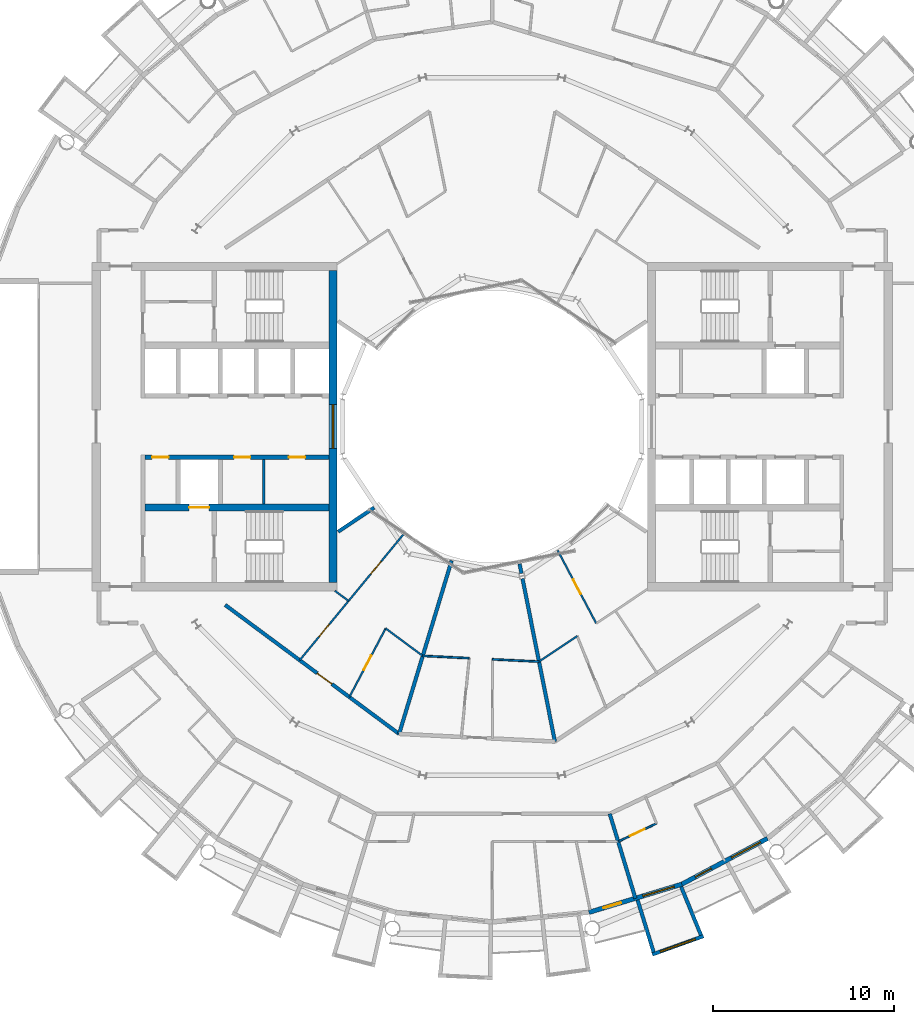
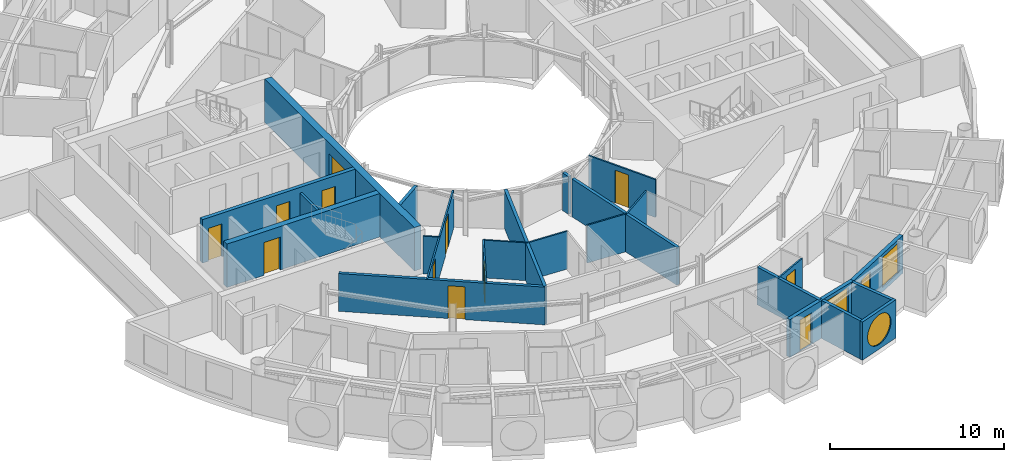
# One storey, part 17 of 28: 24 walls, 12 doors, 4 windows, 16 openings.
"""IFC4 building model written with IfcOpenShell, lengths in metres."""

import ifcopenshell
import ifcopenshell.guid

model = None  # the IFC model being written
_history = None  # IfcOwnerHistory: only IFC2X3 demands one
_inside = {}  # id of a spatial element -> (the spatial element, [elements in it])
_under = {}  # id of a project, library or spatial element -> (it, [spatial elements below it])
_declared = {}  # id of a project -> (the project, [libraries it declares])
_typed = {}  # id of a type object -> (the type object, [elements of that type])
_made_of = {}  # id of a material, layer set ... -> (it, [elements and type objects made of it])


def new_model(schema):
    """Start an empty IFC model of exactly this schema.

    Asked for "IFC4X3", IfcOpenShell would pick the latest addendum, in which some entities
    have other attributes; the version numbers below select the first issue.
    IFC2X3 requires an IfcOwnerHistory on every rooted entity: one is made here for all.
    """
    global model, _history
    if schema == "IFC4X3":
        model = ifcopenshell.file(schema_version=(4, 3, 0, 0))
    else:
        model = ifcopenshell.file(schema=schema)
    _inside.clear()
    _under.clear()
    _declared.clear()
    _typed.clear()
    _made_of.clear()
    _history = None
    if model.schema == "IFC2X3":
        org = make("IfcOrganization", Name="unknown")
        user = make(
            "IfcPersonAndOrganization",
            ThePerson=make("IfcPerson", FamilyName="unknown"),
            TheOrganization=org,
        )
        app = make(
            "IfcApplication",
            ApplicationDeveloper=org,
            Version="unknown",
            ApplicationFullName="unknown",
            ApplicationIdentifier="unknown",
        )
        _history = make(
            "IfcOwnerHistory",
            OwningUser=user,
            OwningApplication=app,
            ChangeAction="ADDED",
            CreationDate=0,
        )
    return model


def make(cls, **values):
    """One entity of the class cls with the attributes given. An attribute that is None is left unset."""
    return model.create_entity(
        cls, **{name: value for name, value in values.items() if value is not None}
    )


def rooted(cls, **values):
    """An entity with a GlobalId (a new one), such as an element, a storey or a relation."""
    return make(cls, GlobalId=ifcopenshell.guid.new(), OwnerHistory=_history, **values)


def si_unit(unit_type, name, prefix=None):
    """IfcSIUnit, for example si_unit("LENGTHUNIT", "METRE", prefix="MILLI")."""
    return make("IfcSIUnit", UnitType=unit_type, Prefix=prefix, Name=name)


def assignment(units):
    """IfcUnitAssignment: the units of a project."""
    return None if units is None else make("IfcUnitAssignment", Units=units)


def point(xyz):
    """IfcCartesianPoint."""
    return None if xyz is None else make("IfcCartesianPoint", Coordinates=xyz)


def direction(xyz):
    """IfcDirection."""
    return None if xyz is None else make("IfcDirection", DirectionRatios=xyz)


def frame(location, z_axis=None, x_axis=None):
    """IfcAxis2Placement3D, a coordinate frame: its origin and axes. An axis left out is left unset."""
    return make(
        "IfcAxis2Placement3D",
        Location=point(location),
        Axis=direction(z_axis),
        RefDirection=direction(x_axis),
    )


def frame_2d(location, x_axis=None):
    """IfcAxis2Placement2D, a coordinate frame in the plane: its origin and x axis."""
    return make(
        "IfcAxis2Placement2D", Location=point(location), RefDirection=direction(x_axis)
    )


def origin():
    """The frame at (0, 0, 0) with its axes left unset."""
    return frame((0.0, 0.0, 0.0))


def place(relative_to, where):
    """IfcLocalPlacement: puts the frame where relative to a parent placement (None: the world)."""
    return make(
        "IfcLocalPlacement", PlacementRelTo=relative_to, RelativePlacement=where
    )


def context(
    kind, dimensions, precision=None, world=None, true_north=None, identifier=None
):
    """IfcGeometricRepresentationContext, for example the 3D "Model" context."""
    return make(
        "IfcGeometricRepresentationContext",
        ContextIdentifier=identifier,
        ContextType=kind,
        CoordinateSpaceDimension=dimensions,
        Precision=precision,
        WorldCoordinateSystem=world,
        TrueNorth=true_north,
    )


def subcontext(parent, identifier, kind, view, scale=None):
    """IfcGeometricRepresentationSubContext, for example "Body" below "Model"."""
    return make(
        "IfcGeometricRepresentationSubContext",
        ContextIdentifier=identifier,
        ContextType=kind,
        ParentContext=parent,
        TargetScale=scale,
        TargetView=view,
    )


def project(units=None, contexts=None):
    """IfcProject with its units and contexts."""
    return rooted(
        "IfcProject",
        Name="project",
        RepresentationContexts=contexts,
        UnitsInContext=assignment(units),
    )


def spatial(cls, under=None, at=None, **own):
    """A site, building, storey or space (cls), placed at a placement, below another one or the project."""
    s = rooted(cls, ObjectPlacement=at, **own)
    if under is not None:
        _under.setdefault(under.id(), (under, []))[1].append(s)
    return s


def profile(cls, at=None, kind="AREA", **sizes):
    """A parametric profile (cls). Its sizes go by their IFC names, for example OverallWidth=200.0."""
    return make(cls, ProfileType=kind, Position=at, **sizes)


def rectangle(**sizes):
    """IfcRectangleProfileDef."""
    return profile("IfcRectangleProfileDef", **sizes)


def circle(**sizes):
    """IfcCircleProfileDef."""
    return profile("IfcCircleProfileDef", **sizes)


def extrude(swept, where, along, depth):
    """IfcExtrudedAreaSolid: the profile swept, set in the frame where, extruded along a direction by depth."""
    return make(
        "IfcExtrudedAreaSolid",
        SweptArea=swept,
        Position=where,
        ExtrudedDirection=direction(along),
        Depth=depth,
    )


def shape(context_of_items, identifier, shape_type, items):
    """IfcShapeRepresentation: the items that make up one representation, for example the "Body"."""
    return make(
        "IfcShapeRepresentation",
        ContextOfItems=context_of_items,
        RepresentationIdentifier=identifier,
        RepresentationType=shape_type,
        Items=items,
    )


def material(Name=None, Category=None):
    """IfcMaterial."""
    return make("IfcMaterial", Name=Name, Category=Category)


def layer(
    of_material, thickness, ventilated=None, Name=None, Category=None, Priority=None
):
    """IfcMaterialLayer: one layer of a wall or slab, of a material (None: an air gap)."""
    return make(
        "IfcMaterialLayer",
        Material=of_material,
        LayerThickness=thickness,
        IsVentilated=ventilated,
        Name=Name,
        Category=Category,
        Priority=Priority,
    )


def layer_set(layers, Name=None):
    """IfcMaterialLayerSet."""
    return make("IfcMaterialLayerSet", MaterialLayers=layers, LayerSetName=Name)


def made_of(thing, what):
    """Note that an element or type object is made of a material, layer set ...; save() writes the relation."""
    if what is not None:
        _made_of.setdefault(what.id(), (what, []))[1].append(thing)
    return thing


def type_object(cls, material=None, **own):
    """A type object (cls), such as IfcWallType, which elements share."""
    return made_of(rooted(cls, **own), material)


def element(
    cls,
    number,
    at=None,
    inside=None,
    cuts=None,
    type_object=None,
    material=None,
    context=None,
    identifier="Body",
    shape_type=None,
    held_by="IfcProductDefinitionShape",
    body=None,
    shapes=None,
    **own,
):
    """One element of the class cls, such as IfcWall. Its Tag is "e" and its number.

    at: its placement. inside: the storey or other place that contains it. cuts: it is an
    opening in that element (IfcRelVoidsElement). A single representation is given by context,
    identifier, shape_type and body (its items); several are given by shapes. held_by: the class
    of the entity that holds the representations. save() writes the other relations.
    """
    e = rooted(cls, Tag="e%d" % number, ObjectPlacement=at, **own)
    if body is not None:
        shapes = [shape(context, identifier, shape_type, body)]
    if shapes is not None:
        e.Representation = make(held_by, Representations=shapes)
    if inside is not None:
        _inside.setdefault(inside.id(), (inside, []))[1].append(e)
    if cuts is not None:
        rooted(
            "IfcRelVoidsElement", RelatingBuildingElement=cuts, RelatedOpeningElement=e
        )
    if type_object is not None:
        _typed.setdefault(type_object.id(), (type_object, []))[1].append(e)
    return made_of(e, material)


def fill(opening, filler):
    """IfcRelFillsElement: the door or window that sits in an opening."""
    return rooted(
        "IfcRelFillsElement",
        RelatingOpeningElement=opening,
        RelatedBuildingElement=filler,
    )


def aggregate(whole, parts):
    """IfcRelAggregates: a whole, such as a stair, and the parts it consists of."""
    return rooted("IfcRelAggregates", RelatingObject=whole, RelatedObjects=parts)


def save(model, path):
    """Write the relations noted so far, then the file.

    IfcRelAggregates (storeys below a building ...), IfcRelContainedInSpatialStructure (elements
    in a storey), IfcRelDefinesByType, IfcRelAssociatesMaterial and IfcRelDeclares: one each for
    every whole, place, type object, material and project.
    """
    for whole, parts in _under.values():
        aggregate(whole, parts)
    for where, things in _inside.values():
        rooted(
            "IfcRelContainedInSpatialStructure",
            RelatedElements=things,
            RelatingStructure=where,
        )
    for kind, things in _typed.values():
        rooted("IfcRelDefinesByType", RelatedObjects=things, RelatingType=kind)
    for what, things in _made_of.values():
        rooted("IfcRelAssociatesMaterial", RelatedObjects=things, RelatingMaterial=what)
    for by, libraries in _declared.values():
        rooted("IfcRelDeclares", RelatingContext=by, RelatedDefinitions=libraries)
    model.write(path)


model = new_model("IFC4")

# Units and contexts
model_context = context("Model", 3, precision=1e-05, world=origin(), true_north=direction((0.0, 1.0)))
body_context = subcontext(model_context, "Body", "Model", "MODEL_VIEW")
ifc_project = project(units=[si_unit("LENGTHUNIT", "METRE"), si_unit("AREAUNIT", "SQUARE_METRE"), si_unit("VOLUMEUNIT", "CUBIC_METRE"), si_unit("PLANEANGLEUNIT", "RADIAN"), si_unit("MASSUNIT", "GRAM", prefix="KILO")], contexts=[model_context])

# Site, building, storey
site_placement = place(None, origin())
site = spatial("IfcSite", under=ifc_project, at=site_placement, CompositionType="ELEMENT")
building_placement = place(site_placement, origin())
building = spatial("IfcBuilding", under=site, at=building_placement, Name="Maasbend Ring Residences", CompositionType="ELEMENT")
storey_placement = place(building_placement, frame((0.0, 0.0, 218.800048828125)))
storey = spatial("IfcBuildingStorey", under=building, at=storey_placement, Name="L63", CompositionType="ELEMENT", Elevation=218.800048828125)

# Wall, openings, doors
ifc_material_1 = material(Name="Concrete C50/60", Category="concrete")
ifc_layer_1 = layer(ifc_material_1, 0.25)
ifc_layer_set_1 = layer_set([ifc_layer_1], Name="Concrete C50/60")
wall_type_1 = type_object("IfcWallType", Name="CORE WALL 250 C50/60", PredefinedType="SHEAR", material=ifc_layer_set_1)
wall_1_placement = place(storey_placement, frame((-9.0, -1.699951171875, 0.0), z_axis=(0.0, 0.0, 1.0), x_axis=(-1.0, 0.0, 0.0)))
wall_1 = element("IfcWall", 1, at=wall_1_placement, inside=storey, type_object=wall_type_1, Name="L63 core W wall SPN", PredefinedType="SHEAR", context=body_context, shape_type="SweptSolid", body=[
    extrude(rectangle(XDim=10.14990234375, YDim=0.25, at=frame_2d((5.074951171875, 0.0))), origin(), (0.0, 0.0, 1.0), 3.050048828125),
])
opening_1_placement = place(wall_1_placement, frame((1.3125, 0.0, 0.0)))
opening_1 = element("IfcOpeningElement", 2, at=opening_1_placement, cuts=wall_1, Name="Opening D-W6306", PredefinedType="OPENING", context=body_context, shape_type="SweptSolid", body=[
    extrude(rectangle(XDim=0.89990234375, YDim=2.300048828125, at=frame_2d((0.449951171875, 1.14990234375))), frame((0.0, 0.135009765625, 0.0), z_axis=(0.0, -1.0, 0.0), x_axis=(1.0, 0.0, 0.0)), (0.0, 0.0, 1.0), 0.27001953125),
])
opening_2_placement = place(wall_1_placement, frame((4.324951171875, 0.0, 0.0)))
opening_2 = element("IfcOpeningElement", 3, at=opening_2_placement, cuts=wall_1, Name="Opening D-W6307", PredefinedType="OPENING", context=body_context, shape_type="SweptSolid", body=[
    extrude(rectangle(XDim=0.89990234375, YDim=2.300048828125, at=frame_2d((0.449951171875, 1.14990234375))), frame((0.0, 0.135009765625, 0.0), z_axis=(0.0, -1.0, 0.0), x_axis=(1.0, 0.0, 0.0)), (0.0, 0.0, 1.0), 0.27001953125),
])
opening_3_placement = place(wall_1_placement, frame((8.83740234375, 0.0, 0.0)))
opening_3 = element("IfcOpeningElement", 4, at=opening_3_placement, cuts=wall_1, Name="Opening D-W6308", PredefinedType="OPENING", context=body_context, shape_type="SweptSolid", body=[
    extrude(rectangle(XDim=0.89990234375, YDim=2.300048828125, at=frame_2d((0.449951171875, 1.14990234375))), frame((0.0, 0.135009765625, 0.0), z_axis=(0.0, -1.0, 0.0), x_axis=(1.0, 0.0, 0.0)), (0.0, 0.0, 1.0), 0.27001953125),
])
ifc_material_2 = material(Name="Steel, powder coated", Category="steel")
door_type_1 = type_object("IfcDoorType", Name="ROOM DOOR 900 X 2300 FD30S", OperationType="NOTDEFINED", PredefinedType="DOOR", material=ifc_material_2)
door_1_placement = place(opening_1_placement, origin())
door_1 = element("IfcDoor", 5, at=door_1_placement, inside=storey, type_object=door_type_1, Name="Room door L63", OperationType="SINGLE_SWING_RIGHT", OverallHeight=2.300048828125, OverallWidth=0.89990234375, PredefinedType="DOOR", context=body_context, shape_type="SweptSolid", body=[
    extrude(rectangle(XDim=0.89990234375, YDim=2.300048828125, at=frame_2d((0.449951171875, 1.14990234375))), frame((0.0, 0.02490234375, 0.0), z_axis=(0.0, -1.0, 0.0), x_axis=(1.0, 0.0, 0.0)), (0.0, 0.0, 1.0), 0.050048828125),
])
fill(opening_1, door_1)
door_2_placement = place(opening_2_placement, origin())
door_2 = element("IfcDoor", 6, at=door_2_placement, inside=storey, type_object=door_type_1, Name="Room door L63", OperationType="SINGLE_SWING_RIGHT", OverallHeight=2.300048828125, OverallWidth=0.89990234375, PredefinedType="DOOR", context=body_context, shape_type="SweptSolid", body=[
    extrude(rectangle(XDim=0.89990234375, YDim=2.300048828125, at=frame_2d((0.449951171875, 1.14990234375))), frame((0.0, 0.02490234375, 0.0), z_axis=(0.0, -1.0, 0.0), x_axis=(1.0, 0.0, 0.0)), (0.0, 0.0, 1.0), 0.050048828125),
])
fill(opening_2, door_2)
door_3_placement = place(opening_3_placement, origin())
door_3 = element("IfcDoor", 7, at=door_3_placement, inside=storey, type_object=door_type_1, Name="Room door L63", OperationType="SINGLE_SWING_LEFT", OverallHeight=2.300048828125, OverallWidth=0.89990234375, PredefinedType="DOOR", context=body_context, shape_type="SweptSolid", body=[
    extrude(rectangle(XDim=0.89990234375, YDim=2.300048828125, at=frame_2d((0.449951171875, 1.14990234375))), frame((0.0, 0.02490234375, 0.0), z_axis=(0.0, -1.0, 0.0), x_axis=(1.0, 0.0, 0.0)), (0.0, 0.0, 1.0), 0.050048828125),
])
fill(opening_3, door_3)

# Wall, opening, door
ifc_material_3 = material(Name="Concrete C50/60", Category="concrete")
ifc_layer_2 = layer(ifc_material_3, 0.375)
ifc_layer_set_2 = layer_set([ifc_layer_2], Name="Concrete C50/60")
wall_type_2 = type_object("IfcWallType", Name="CORE WALL 375 C50/60", PredefinedType="SHEAR", material=ifc_layer_set_2)
wall_2_placement = place(storey_placement, frame((-9.0, -4.46240234375, 0.0), z_axis=(0.0, 0.0, 1.0), x_axis=(-1.0, 0.0, 0.0)))
wall_2 = element("IfcWall", 8, at=wall_2_placement, inside=storey, type_object=wall_type_2, Name="L63 core W wall BN", PredefinedType="SHEAR", context=body_context, shape_type="SweptSolid", body=[
    extrude(rectangle(XDim=10.14990234375, YDim=0.375, at=frame_2d((5.074951171875, 0.0))), origin(), (0.0, 0.0, 1.0), 3.050048828125),
])
opening_4_placement = place(wall_2_placement, frame((6.60009765625, 0.0, 0.0)))
opening_4 = element("IfcOpeningElement", 9, at=opening_4_placement, cuts=wall_2, Name="Opening LD-W6301", PredefinedType="OPENING", context=body_context, shape_type="SweptSolid", body=[
    extrude(rectangle(XDim=1.10009765625, YDim=2.300048828125, at=frame_2d((0.550048828125, 1.14990234375))), frame((0.0, 0.197509765625, 0.0), z_axis=(0.0, -1.0, 0.0), x_axis=(1.0, 0.0, 0.0)), (0.0, 0.0, 1.0), 0.39501953125),
])
ifc_material_4 = material(Name="Stainless steel 316", Category="steel")
door_type_2 = type_object("IfcDoorType", Name="LANDING DOOR 1100 X 2300 FD60", OperationType="DOUBLE_DOOR_SLIDING", PredefinedType="DOOR", material=ifc_material_4)
door_4_placement = place(opening_4_placement, origin())
door_4 = element("IfcDoor", 10, at=door_4_placement, inside=storey, type_object=door_type_2, Name="Landing door FF-W L63", OperationType="DOUBLE_DOOR_SLIDING", OverallHeight=2.300048828125, OverallWidth=1.10009765625, PredefinedType="DOOR", context=body_context, shape_type="SweptSolid", body=[
    extrude(rectangle(XDim=1.10009765625, YDim=2.300048828125, at=frame_2d((0.550048828125, 1.14990234375))), frame((0.0, 0.02490234375, 0.0), z_axis=(0.0, -1.0, 0.0), x_axis=(1.0, 0.0, 0.0)), (0.0, 0.0, 1.0), 0.050048828125),
])
fill(opening_4, door_4)

# Wall, opening, window
ifc_material_5 = material(Name="Concrete C50/60", Category="concrete")
ifc_layer_3 = layer(ifc_material_5, 0.449951171875)
ifc_layer_set_3 = layer_set([ifc_layer_3], Name="Concrete C50/60")
wall_type_3 = type_object("IfcWallType", Name="CORE WALL 450 C50/60", PredefinedType="SHEAR", material=ifc_layer_set_3)
wall_3_placement = place(storey_placement, frame((-8.77490234375, 8.60009765625, 0.0), z_axis=(0.0, 0.0, 1.0), x_axis=(0.0, -1.0, 0.0)))
wall_3 = element("IfcWall", 11, at=wall_3_placement, inside=storey, type_object=wall_type_3, Name="L63 core W wall PIN", PredefinedType="SHEAR", context=body_context, shape_type="SweptSolid", body=[
    extrude(rectangle(XDim=17.2001953125, YDim=0.449951171875, at=frame_2d((8.60009765625, 0.0))), origin(), (0.0, 0.0, 1.0), 3.050048828125),
])
opening_5_placement = place(wall_3_placement, frame((7.39990234375, 0.0, 0.10009765625)))
opening_5 = element("IfcOpeningElement", 12, at=opening_5_placement, cuts=wall_3, Name="Opening W-W6301", PredefinedType="OPENING", context=body_context, shape_type="SweptSolid", body=[
    extrude(rectangle(XDim=2.39990234375, YDim=2.199951171875, at=frame_2d((1.199951171875, 1.10009765625))), frame((0.0, 0.23486328125, 0.0), z_axis=(0.0, -1.0, 0.0), x_axis=(1.0, 0.0, 0.0)), (0.0, 0.0, 1.0), 0.469970703125),
])
ifc_material_6 = material(Name="Aluminium frame and clear glass", Category="aluminium")
window_type_1 = type_object("IfcWindowType", Name="FIXED WINDOW 2400 X 2200", PartitioningType="SINGLE_PANEL", PredefinedType="WINDOW", material=ifc_material_6)
window_1_placement = place(opening_5_placement, origin())
window_1 = element("IfcWindow", 13, at=window_1_placement, inside=storey, type_object=window_type_1, Name="Lobby window L63", OverallHeight=2.199951171875, OverallWidth=2.39990234375, PartitioningType="SINGLE_PANEL", PredefinedType="WINDOW", context=body_context, shape_type="SweptSolid", body=[
    extrude(rectangle(XDim=2.39990234375, YDim=2.199951171875, at=frame_2d((1.199951171875, 1.10009765625))), frame((0.0, 0.030029296875, 0.0), z_axis=(0.0, -1.0, 0.0), x_axis=(1.0, 0.0, 0.0)), (0.0, 0.0, 1.0), 0.06005859375),
])
fill(opening_5, window_1)

# Wall, opening, door
ifc_material_7 = material(Name="Concrete C30/37", Category="concrete")
ifc_layer_4 = layer(ifc_material_7, 0.199951171875)
ifc_layer_set_4 = layer_set([ifc_layer_4], Name="Concrete C30/37")
wall_type_4 = type_object("IfcWallType", Name="CORRIDOR WALL 200 CONCRETE", PredefinedType="PARTITIONING", material=ifc_layer_set_4)
wall_4_placement = place(storey_placement, frame((-14.718017578125, -9.8330078125, 0.0), z_axis=(0.0, 0.0, 1.0), x_axis=(0.803240181354, -0.595655278712, 0.0)))
wall_4 = element("IfcWall", 14, at=wall_4_placement, inside=storey, type_object=wall_type_4, Name="U-L63-w021", PredefinedType="PARTITIONING", context=body_context, shape_type="SweptSolid", body=[
    extrude(rectangle(XDim=11.927978515625, YDim=0.199951171875, at=frame_2d((5.9638671875, 0.0))), origin(), (0.0, 0.0, 1.0), 2.64990234375),
])
opening_6_placement = place(wall_4_placement, frame((6.31591796875, 0.0, 0.0)))
opening_6 = element("IfcOpeningElement", 15, at=opening_6_placement, cuts=wall_4, Name="Opening D-6347", PredefinedType="OPENING", context=body_context, shape_type="SweptSolid", body=[
    extrude(rectangle(XDim=1.0, YDim=2.300048828125, at=frame_2d((0.5, 1.14990234375))), frame((0.0, 0.10986328125, 0.0), z_axis=(0.0, -1.0, 0.0), x_axis=(1.0, 0.0, 0.0)), (0.0, 0.0, 1.0), 0.219970703125),
])
ifc_material_8 = material(Name="Timber, fire-rated, painted", Category="wood")
door_type_3 = type_object("IfcDoorType", Name="FLAT ENTRANCE DOOR 1000 X 2300 FIRE-RATED", OperationType="NOTDEFINED", PredefinedType="DOOR", material=ifc_material_8)
door_5_placement = place(opening_6_placement, origin())
door_5 = element("IfcDoor", 16, at=door_5_placement, inside=storey, type_object=door_type_3, Name="D-6347", OperationType="SINGLE_SWING_RIGHT", OverallHeight=2.300048828125, OverallWidth=1.0, PredefinedType="DOOR", context=body_context, shape_type="SweptSolid", body=[
    extrude(rectangle(XDim=1.0, YDim=2.300048828125, at=frame_2d((0.5, 1.14990234375))), frame((0.0, 0.02490234375, 0.0), z_axis=(0.0, -1.0, 0.0), x_axis=(1.0, 0.0, 0.0)), (0.0, 0.0, 1.0), 0.050048828125),
])
fill(opening_6, door_5)

# Wall, opening, window
ifc_material_9 = material(Name="Pale anodised aluminium panel", Category="aluminium")
ifc_layer_5 = layer(ifc_material_9, 0.199951171875)
ifc_layer_set_5 = layer_set([ifc_layer_5], Name="EW-BOX")
wall_type_5 = type_object("IfcWallType", Name="EW-BOX", PredefinedType="SOLIDWALL", material=ifc_layer_set_5)
wall_5_placement = place(storey_placement, frame((8.820068359375, -29.093017578125, -0.030029296875), z_axis=(0.0, 0.0, 1.0), x_axis=(0.941461077774, 0.337121697664, 0.0)))
wall_5 = element("IfcWall", 17, at=wall_5_placement, inside=storey, type_object=wall_type_5, Name="Box front S14", PredefinedType="SOLIDWALL", context=body_context, shape_type="SweptSolid", body=[
    extrude(rectangle(XDim=2.9931640625, YDim=0.199951171875, at=frame_2d((1.49658203125, 0.0))), origin(), (0.0, 0.0, 1.0), 2.679931640625),
])
opening_7_placement = place(wall_5_placement, frame((0.45654296875, 0.0, 0.330078125)))
opening_7 = element("IfcOpeningElement", 18, at=opening_7_placement, cuts=wall_5, Name="Opening W-RD", PredefinedType="OPENING", context=body_context, shape_type="SweptSolid", body=[
    extrude(circle(Radius=1.0400390625, at=frame_2d((1.0400390625, 1.0400390625))), frame((0.0, 0.10986328125, 0.0), z_axis=(0.0, -1.0, 0.0), x_axis=(1.0, 0.0, 0.0)), (0.0, 0.0, 1.0), 0.219970703125),
])
ifc_material_10 = material(Name="Aluminium and clear glass", Category="aluminium")
window_type_2 = type_object("IfcWindowType", Name="W-RD", PartitioningType="SINGLE_PANEL", PredefinedType="WINDOW", material=ifc_material_10)
window_2_placement = place(opening_7_placement, origin())
window_2 = element("IfcWindow", 19, at=window_2_placement, inside=storey, type_object=window_type_2, Name="Round window S14", OverallHeight=2.080078125, OverallWidth=2.080078125, PartitioningType="SINGLE_PANEL", PredefinedType="WINDOW", context=body_context, shape_type="SweptSolid", body=[
    extrude(circle(Radius=1.0400390625, at=frame_2d((1.0400390625, 1.0400390625))), frame((0.0, 0.030029296875, 0.0), z_axis=(0.0, -1.0, 0.0), x_axis=(1.0, 0.0, 0.0)), (0.0, 0.0, 1.0), 0.06005859375),
])
fill(opening_7, window_2)

# Walls
wall_6_placement = place(storey_placement, frame((8.009033203125, -26.092041015625, -0.030029296875), z_axis=(0.0, 0.0, 1.0), x_axis=(0.293406695073, -0.955987715029, 0.0)))
element("IfcWall", 20, at=wall_6_placement, inside=storey, type_object=wall_type_5, Name="Box side wall S14 left", PredefinedType="SOLIDWALL", context=body_context, shape_type="SweptSolid", body=[
    extrude(rectangle(XDim=3.00634765625, YDim=0.199951171875, at=frame_2d((1.503173828125, 0.0))), origin(), (0.0, 0.0, 1.0), 2.679931640625),
])
wall_7_placement = place(storey_placement, frame((10.408935546875, -25.364013671875, -0.030029296875), z_axis=(0.0, 0.0, 1.0), x_axis=(0.379509886562, -0.925187681501, 0.0)))
element("IfcWall", 21, at=wall_7_placement, inside=storey, type_object=wall_type_5, Name="Box side wall S14 right", PredefinedType="SOLIDWALL", context=body_context, shape_type="SweptSolid", body=[
    extrude(rectangle(XDim=2.882568359375, YDim=0.199951171875, at=frame_2d((1.44140625, 0.0))), origin(), (0.0, 0.0, 1.0), 2.679931640625),
])

# Wall, openings, door, window
ifc_material_11 = material(Name="Aluminium clad insulated panel", Category="aluminium")
ifc_layer_6 = layer(ifc_material_11, 0.25)
ifc_layer_set_6 = layer_set([ifc_layer_6], Name="EW-GL")
wall_type_6 = type_object("IfcWallType", Name="EW-GL", PredefinedType="SOLIDWALL", material=ifc_layer_set_6)
wall_8_placement = place(storey_placement, frame((5.325927734375, -26.77490234375, 0.0), z_axis=(0.0, 0.0, 1.0), x_axis=(0.956965678721, 0.290201119486, 0.0)))
wall_8 = element("IfcWall", 22, at=wall_8_placement, inside=storey, type_object=wall_type_6, Name="External wall S07", PredefinedType="SOLIDWALL", context=body_context, shape_type="SweptSolid", body=[
    extrude(rectangle(XDim=5.351318359375, YDim=0.25, at=frame_2d((2.67578125, 0.0))), origin(), (0.0, 0.0, 1.0), 2.64990234375),
])
opening_8_placement = place(wall_8_placement, frame((0.841064453125, 0.0, 0.0)))
opening_8 = element("IfcOpeningElement", 23, at=opening_8_placement, cuts=wall_8, Name="Opening D-LG", PredefinedType="OPENING", context=body_context, shape_type="SweptSolid", body=[
    extrude(rectangle(XDim=1.0, YDim=2.199951171875, at=frame_2d((0.5, 1.10009765625))), frame((0.0, 0.135009765625, 0.0), z_axis=(0.0, -1.0, 0.0), x_axis=(1.0, 0.0, 0.0)), (0.0, 0.0, 1.0), 0.27001953125),
])
opening_9_placement = place(wall_8_placement, frame((3.110595703125, 0.0, 0.300048828125)))
opening_9 = element("IfcOpeningElement", 24, at=opening_9_placement, cuts=wall_8, Name="Opening W-BX", PredefinedType="OPENING", context=body_context, shape_type="SweptSolid", body=[
    extrude(rectangle(XDim=1.800048828125, YDim=2.10009765625, at=frame_2d((0.89990234375, 1.050048828125))), frame((0.0, 0.135009765625, 0.0), z_axis=(0.0, -1.0, 0.0), x_axis=(1.0, 0.0, 0.0)), (0.0, 0.0, 1.0), 0.27001953125),
])
ifc_material_12 = material(Name="Aluminium and clear glass", Category="aluminium")
door_type_4 = type_object("IfcDoorType", Name="D-LG", OperationType="SINGLE_SWING_LEFT", PredefinedType="DOOR", material=ifc_material_12)
door_6_placement = place(opening_8_placement, origin())
door_6 = element("IfcDoor", 25, at=door_6_placement, inside=storey, type_object=door_type_4, Name="Loggia door S13", OperationType="SINGLE_SWING_LEFT", OverallHeight=2.199951171875, OverallWidth=1.0, PredefinedType="DOOR", context=body_context, shape_type="SweptSolid", body=[
    extrude(rectangle(XDim=1.0, YDim=2.199951171875, at=frame_2d((0.5, 1.10009765625))), frame((0.0, 0.02490234375, 0.0), z_axis=(0.0, -1.0, 0.0), x_axis=(1.0, 0.0, 0.0)), (0.0, 0.0, 1.0), 0.050048828125),
])
fill(opening_8, door_6)
ifc_material_13 = material(Name="Aluminium and clear glass", Category="aluminium")
window_type_3 = type_object("IfcWindowType", Name="W-BX", PartitioningType="DOUBLE_PANEL_VERTICAL", PredefinedType="WINDOW", material=ifc_material_13)
window_3_placement = place(opening_9_placement, origin())
window_3 = element("IfcWindow", 26, at=window_3_placement, inside=storey, type_object=window_type_3, Name="Window S14 room to box", OverallHeight=2.10009765625, OverallWidth=1.800048828125, PartitioningType="SINGLE_PANEL", PredefinedType="WINDOW", context=body_context, shape_type="SweptSolid", body=[
    extrude(rectangle(XDim=1.800048828125, YDim=2.10009765625, at=frame_2d((0.89990234375, 1.050048828125))), frame((0.0, 0.030029296875, 0.0), z_axis=(0.0, -1.0, 0.0), x_axis=(1.0, 0.0, 0.0)), (0.0, 0.0, 1.0), 0.06005859375),
])
fill(opening_9, window_3)

wall_9_placement = place(storey_placement, frame((10.447021484375, -25.221923828125, 0.0), z_axis=(0.0, 0.0, 1.0), x_axis=(0.881915646801, 0.471407246368, 0.0)))
wall_9 = element("IfcWall", 27, at=wall_9_placement, inside=storey, type_object=wall_type_6, Name="External wall S08", PredefinedType="SOLIDWALL", context=body_context, shape_type="SweptSolid", body=[
    extrude(rectangle(XDim=5.35205078125, YDim=0.25, at=frame_2d((2.676025390625, 0.0))), origin(), (0.0, 0.0, 1.0), 2.64990234375),
])
opening_10_placement = place(wall_9_placement, frame((0.841064453125, 0.0, 0.0)))
opening_10 = element("IfcOpeningElement", 28, at=opening_10_placement, cuts=wall_9, Name="Opening D-LG", PredefinedType="OPENING", context=body_context, shape_type="SweptSolid", body=[
    extrude(rectangle(XDim=1.0, YDim=2.199951171875, at=frame_2d((0.5, 1.10009765625))), frame((0.0, 0.135009765625, 0.0), z_axis=(0.0, -1.0, 0.0), x_axis=(1.0, 0.0, 0.0)), (0.0, 0.0, 1.0), 0.27001953125),
])
opening_11_placement = place(wall_9_placement, frame((3.110595703125, 0.0, 0.300048828125)))
opening_11 = element("IfcOpeningElement", 29, at=opening_11_placement, cuts=wall_9, Name="Opening W-BX", PredefinedType="OPENING", context=body_context, shape_type="SweptSolid", body=[
    extrude(rectangle(XDim=1.800048828125, YDim=2.10009765625, at=frame_2d((0.89990234375, 1.050048828125))), frame((0.0, 0.135009765625, 0.0), z_axis=(0.0, -1.0, 0.0), x_axis=(1.0, 0.0, 0.0)), (0.0, 0.0, 1.0), 0.27001953125),
])
door_7_placement = place(opening_10_placement, origin())
door_7 = element("IfcDoor", 30, at=door_7_placement, inside=storey, type_object=door_type_4, Name="Loggia door S15", OperationType="SINGLE_SWING_LEFT", OverallHeight=2.199951171875, OverallWidth=1.0, PredefinedType="DOOR", context=body_context, shape_type="SweptSolid", body=[
    extrude(rectangle(XDim=1.0, YDim=2.199951171875, at=frame_2d((0.5, 1.10009765625))), frame((0.0, 0.02490234375, 0.0), z_axis=(0.0, -1.0, 0.0), x_axis=(1.0, 0.0, 0.0)), (0.0, 0.0, 1.0), 0.050048828125),
])
fill(opening_10, door_7)
window_4_placement = place(opening_11_placement, origin())
window_4 = element("IfcWindow", 31, at=window_4_placement, inside=storey, type_object=window_type_3, Name="Window S16 room to box", OverallHeight=2.10009765625, OverallWidth=1.800048828125, PartitioningType="SINGLE_PANEL", PredefinedType="WINDOW", context=body_context, shape_type="SweptSolid", body=[
    extrude(rectangle(XDim=1.800048828125, YDim=2.10009765625, at=frame_2d((0.89990234375, 1.050048828125))), frame((0.0, 0.030029296875, 0.0), z_axis=(0.0, -1.0, 0.0), x_axis=(1.0, 0.0, 0.0)), (0.0, 0.0, 1.0), 0.06005859375),
])
fill(opening_11, window_4)

# Wall, opening, door
ifc_material_14 = material(Name="Gypsum board on steel studs", Category="steel")
ifc_layer_7 = layer(ifc_material_14, 0.10009765625)
ifc_layer_set_7 = layer_set([ifc_layer_7], Name="PARTITION 100 GYPSUM")
wall_type_7 = type_object("IfcWallType", Name="PARTITION 100 GYPSUM", PredefinedType="PARTITIONING", material=ifc_layer_set_7)
wall_10_placement = place(storey_placement, frame((6.93896484375, -22.8720703125, 0.0), z_axis=(0.0, 0.0, 1.0), x_axis=(0.903888765148, 0.427767577359, 0.0)))
wall_10 = element("IfcWall", 32, at=wall_10_placement, inside=storey, type_object=wall_type_7, Name="U-L63-w003", PredefinedType="PARTITIONING", context=body_context, shape_type="SweptSolid", body=[
    extrude(rectangle(XDim=2.337646484375, YDim=0.10009765625, at=frame_2d((1.1689453125, 0.0))), origin(), (0.0, 0.0, 1.0), 2.64990234375),
])
opening_12_placement = place(wall_10_placement, frame((0.718017578125, 0.0, 0.0)))
opening_12 = element("IfcOpeningElement", 33, at=opening_12_placement, cuts=wall_10, Name="Opening D-6341", PredefinedType="OPENING", context=body_context, shape_type="SweptSolid", body=[
    extrude(rectangle(XDim=0.89990234375, YDim=2.300048828125, at=frame_2d((0.449951171875, 1.14990234375))), frame((0.0, 0.06005859375, 0.0), z_axis=(0.0, -1.0, 0.0), x_axis=(1.0, 0.0, 0.0)), (0.0, 0.0, 1.0), 0.1201171875),
])
ifc_material_15 = material(Name="Timber, painted", Category="wood")
door_type_5 = type_object("IfcDoorType", Name="INTERNAL DOOR 900 X 2300", OperationType="NOTDEFINED", PredefinedType="DOOR", material=ifc_material_15)
door_8_placement = place(opening_12_placement, origin())
door_8 = element("IfcDoor", 34, at=door_8_placement, inside=storey, type_object=door_type_5, Name="D-6341", OperationType="SINGLE_SWING_LEFT", OverallHeight=2.300048828125, OverallWidth=0.89990234375, PredefinedType="DOOR", context=body_context, shape_type="SweptSolid", body=[
    extrude(rectangle(XDim=0.89990234375, YDim=2.300048828125, at=frame_2d((0.449951171875, 1.14990234375))), frame((0.0, 0.02490234375, 0.0), z_axis=(0.0, -1.0, 0.0), x_axis=(1.0, 0.0, 0.0)), (0.0, 0.0, 1.0), 0.050048828125),
])
fill(opening_12, door_8)

# Walls
wall_11_placement = place(storey_placement, frame((-3.833984375, -12.639892578125, 0.0), z_axis=(0.0, 0.0, 1.0), x_axis=(0.998790464653, -0.049169174464, 0.0)))
element("IfcWall", 35, at=wall_11_placement, inside=storey, type_object=wall_type_7, Name="U-L63-w023", PredefinedType="PARTITIONING", context=body_context, shape_type="SweptSolid", body=[
    extrude(rectangle(XDim=2.567138671875, YDim=0.10009765625, at=frame_2d((1.28369140625, 0.0))), origin(), (0.0, 0.0, 1.0), 2.64990234375),
])
wall_12_placement = place(storey_placement, frame((0.009033203125, -12.8291015625, 0.0), z_axis=(0.0, 0.0, 1.0), x_axis=(0.99879878705, -0.048999826404, 0.0)))
element("IfcWall", 36, at=wall_12_placement, inside=storey, type_object=wall_type_7, Name="U-L63-w024", PredefinedType="PARTITIONING", context=body_context, shape_type="SweptSolid", body=[
    extrude(rectangle(XDim=2.571044921875, YDim=0.10009765625, at=frame_2d((1.28564453125, 0.0))), origin(), (0.0, 0.0, 1.0), 2.64990234375),
])
wall_13_placement = place(storey_placement, frame((-8.676025390625, -9.050048828125, 0.0), z_axis=(0.0, 0.0, 1.0), x_axis=(0.803437844371, -0.595388637977, 0.0)))
element("IfcWall", 37, at=wall_13_placement, inside=storey, type_object=wall_type_7, Name="U-L63-w025", PredefinedType="PARTITIONING", context=body_context, shape_type="SweptSolid", body=[
    extrude(rectangle(XDim=0.9423828125, YDim=0.10009765625, at=frame_2d((0.47119140625, 0.0))), origin(), (0.0, 0.0, 1.0), 2.64990234375),
])
wall_14_placement = place(storey_placement, frame((-5.8740234375, -11.126953125, 0.0), z_axis=(0.0, 0.0, 1.0), x_axis=(0.803533389313, -0.595259684725, 0.0)))
element("IfcWall", 38, at=wall_14_placement, inside=storey, type_object=wall_type_7, Name="U-L63-w026", PredefinedType="PARTITIONING", context=body_context, shape_type="SweptSolid", body=[
    extrude(rectangle(XDim=2.543701171875, YDim=0.10009765625, at=frame_2d((1.27197265625, 0.0))), origin(), (0.0, 0.0, 1.0), 2.64990234375),
])
wall_15_placement = place(storey_placement, frame((2.577880859375, -12.955078125, 0.0), z_axis=(0.0, 0.0, 1.0), x_axis=(0.831440395268, 0.555613956912, 0.0)))
element("IfcWall", 39, at=wall_15_placement, inside=storey, type_object=wall_type_7, Name="U-L63-w027", PredefinedType="PARTITIONING", context=body_context, shape_type="SweptSolid", body=[
    extrude(rectangle(XDim=2.527099609375, YDim=0.10009765625, at=frame_2d((1.263671875, 0.0))), origin(), (0.0, 0.0, 1.0), 2.64990234375),
])

# Wall, openings, doors
wall_16_placement = place(storey_placement, frame((-10.612060546875, -12.8779296875, 0.0), z_axis=(0.0, 0.0, 1.0), x_axis=(0.636115614725, 0.771593756262, 0.0)))
wall_16 = element("IfcWall", 40, at=wall_16_placement, inside=storey, type_object=wall_type_7, Name="U-L63-w045", PredefinedType="PARTITIONING", context=body_context, shape_type="SweptSolid", body=[
    extrude(rectangle(XDim=8.967041015625, YDim=0.10009765625, at=frame_2d((4.4833984375, 0.0))), origin(), (0.0, 0.0, 1.0), 2.64990234375),
])
opening_13_placement = place(wall_16_placement, frame((1.6669921875, 0.0, 0.0)))
opening_13 = element("IfcOpeningElement", 41, at=opening_13_placement, cuts=wall_16, Name="Opening D-6349", PredefinedType="OPENING", context=body_context, shape_type="SweptSolid", body=[
    extrude(rectangle(XDim=0.89990234375, YDim=2.300048828125, at=frame_2d((0.449951171875, 1.14990234375))), frame((0.0, 0.06005859375, 0.0), z_axis=(0.0, -1.0, 0.0), x_axis=(1.0, 0.0, 0.0)), (0.0, 0.0, 1.0), 0.1201171875),
])
opening_14_placement = place(wall_16_placement, frame((6.15087890625, 0.0, 0.0)))
opening_14 = element("IfcOpeningElement", 42, at=opening_14_placement, cuts=wall_16, Name="Opening D-6350", PredefinedType="OPENING", context=body_context, shape_type="SweptSolid", body=[
    extrude(rectangle(XDim=0.89990234375, YDim=2.300048828125, at=frame_2d((0.449951171875, 1.14990234375))), frame((0.0, 0.06005859375, 0.0), z_axis=(0.0, -1.0, 0.0), x_axis=(1.0, 0.0, 0.0)), (0.0, 0.0, 1.0), 0.1201171875),
])
door_9_placement = place(opening_13_placement, origin())
door_9 = element("IfcDoor", 43, at=door_9_placement, inside=storey, type_object=door_type_5, Name="D-6349", OperationType="SINGLE_SWING_LEFT", OverallHeight=2.300048828125, OverallWidth=0.89990234375, PredefinedType="DOOR", context=body_context, shape_type="SweptSolid", body=[
    extrude(rectangle(XDim=0.89990234375, YDim=2.300048828125, at=frame_2d((0.449951171875, 1.14990234375))), frame((0.0, 0.02490234375, 0.0), z_axis=(0.0, -1.0, 0.0), x_axis=(1.0, 0.0, 0.0)), (0.0, 0.0, 1.0), 0.050048828125),
])
fill(opening_13, door_9)
door_10_placement = place(opening_14_placement, origin())
door_10 = element("IfcDoor", 44, at=door_10_placement, inside=storey, type_object=door_type_5, Name="D-6350", OperationType="SINGLE_SWING_RIGHT", OverallHeight=2.300048828125, OverallWidth=0.89990234375, PredefinedType="DOOR", context=body_context, shape_type="SweptSolid", body=[
    extrude(rectangle(XDim=0.89990234375, YDim=2.300048828125, at=frame_2d((0.449951171875, 1.14990234375))), frame((0.0, 0.02490234375, 0.0), z_axis=(0.0, -1.0, 0.0), x_axis=(1.0, 0.0, 0.0)), (0.0, 0.0, 1.0), 0.050048828125),
])
fill(opening_14, door_10)

# Wall, opening, door
wall_17_placement = place(storey_placement, frame((-7.8740234375, -14.908935546875, 0.0), z_axis=(0.0, 0.0, 1.0), x_axis=(0.467030118529, 0.884241408432, 0.0)))
wall_17 = element("IfcWall", 45, at=wall_17_placement, inside=storey, type_object=wall_type_7, Name="U-L63-w051", PredefinedType="PARTITIONING", context=body_context, shape_type="SweptSolid", body=[
    extrude(rectangle(XDim=4.278076171875, YDim=0.10009765625, at=frame_2d((2.13916015625, 0.0))), origin(), (0.0, 0.0, 1.0), 2.64990234375),
])
opening_15_placement = place(wall_17_placement, frame((1.68994140625, 0.0, 0.0)))
opening_15 = element("IfcOpeningElement", 46, at=opening_15_placement, cuts=wall_17, Name="Opening D-6348", PredefinedType="OPENING", context=body_context, shape_type="SweptSolid", body=[
    extrude(rectangle(XDim=0.89990234375, YDim=2.300048828125, at=frame_2d((0.449951171875, 1.14990234375))), frame((0.0, 0.06005859375, 0.0), z_axis=(0.0, -1.0, 0.0), x_axis=(1.0, 0.0, 0.0)), (0.0, 0.0, 1.0), 0.1201171875),
])
door_11_placement = place(opening_15_placement, origin())
door_11 = element("IfcDoor", 47, at=door_11_placement, inside=storey, type_object=door_type_5, Name="D-6348", OperationType="SINGLE_SWING_RIGHT", OverallHeight=2.300048828125, OverallWidth=0.89990234375, PredefinedType="DOOR", context=body_context, shape_type="SweptSolid", body=[
    extrude(rectangle(XDim=0.89990234375, YDim=2.300048828125, at=frame_2d((0.449951171875, 1.14990234375))), frame((0.0, 0.02490234375, 0.0), z_axis=(0.0, -1.0, 0.0), x_axis=(1.0, 0.0, 0.0)), (0.0, 0.0, 1.0), 0.050048828125),
])
fill(opening_15, door_11)

wall_18_placement = place(storey_placement, frame((3.60498046875, -6.826904296875, 0.0), z_axis=(0.0, 0.0, 1.0), x_axis=(0.466962677975, -0.884277025246, 0.0)))
wall_18 = element("IfcWall", 48, at=wall_18_placement, inside=storey, type_object=wall_type_7, Name="U-L63-w065", PredefinedType="PARTITIONING", context=body_context, shape_type="SweptSolid", body=[
    extrude(rectangle(XDim=4.548583984375, YDim=0.10009765625, at=frame_2d((2.2744140625, 0.0))), origin(), (0.0, 0.0, 1.0), 2.64990234375),
])
opening_16_placement = place(wall_18_placement, frame((1.823974609375, 0.0, 0.0)))
opening_16 = element("IfcOpeningElement", 49, at=opening_16_placement, cuts=wall_18, Name="Opening D-6357", PredefinedType="OPENING", context=body_context, shape_type="SweptSolid", body=[
    extrude(rectangle(XDim=0.89990234375, YDim=2.300048828125, at=frame_2d((0.449951171875, 1.14990234375))), frame((0.0, 0.06005859375, 0.0), z_axis=(0.0, -1.0, 0.0), x_axis=(1.0, 0.0, 0.0)), (0.0, 0.0, 1.0), 0.1201171875),
])
door_12_placement = place(opening_16_placement, origin())
door_12 = element("IfcDoor", 50, at=door_12_placement, inside=storey, type_object=door_type_5, Name="D-6357", OperationType="SINGLE_SWING_LEFT", OverallHeight=2.300048828125, OverallWidth=0.89990234375, PredefinedType="DOOR", context=body_context, shape_type="SweptSolid", body=[
    extrude(rectangle(XDim=0.89990234375, YDim=2.300048828125, at=frame_2d((0.449951171875, 1.14990234375))), frame((0.0, 0.02490234375, 0.0), z_axis=(0.0, -1.0, 0.0), x_axis=(1.0, 0.0, 0.0)), (0.0, 0.0, 1.0), 0.050048828125),
])
fill(opening_16, door_12)

# Walls
ifc_material_16 = material(Name="Gypsum board on steel studs", Category="steel")
ifc_layer_8 = layer(ifc_material_16, 0.14990234375)
ifc_layer_set_8 = layer_set([ifc_layer_8], Name="PARTITION 150 EI 60")
wall_type_8 = type_object("IfcWallType", Name="PARTITION 150 EI 60", PredefinedType="PARTITIONING", material=ifc_layer_set_8)
wall_19_placement = place(storey_placement, frame((-12.60009765625, -1.824951171875, 0.0), z_axis=(0.0, 0.0, 1.0), x_axis=(0.0, -1.0, 0.0)))
element("IfcWall", 51, at=wall_19_placement, inside=storey, type_object=wall_type_8, Name="L63 core W wall PRN1260", PredefinedType="PARTITIONING", context=body_context, shape_type="SweptSolid", body=[
    extrude(rectangle(XDim=2.449951171875, YDim=0.14990234375, at=frame_2d((1.22509765625, 0.0))), origin(), (0.0, 0.0, 1.0), 2.64990234375),
])
ifc_material_17 = material(Name="Concrete C30/37", Category="concrete")
ifc_layer_9 = layer(ifc_material_17, 0.199951171875)
ifc_layer_set_9 = layer_set([ifc_layer_9], Name="Concrete C30/37")
wall_type_9 = type_object("IfcWallType", Name="PARTY WALL 200 CONCRETE", PredefinedType="PARTITIONING", material=ifc_layer_set_9)
wall_20_placement = place(storey_placement, frame((-6.512939453125, -4.471923828125, 0.0), z_axis=(0.0, 0.0, 1.0), x_axis=(-0.831403409976, -0.555669299026, 0.0)))
element("IfcWall", 52, at=wall_20_placement, inside=storey, type_object=wall_type_9, Name="U-L63-w031", PredefinedType="PARTITIONING", context=body_context, shape_type="SweptSolid", body=[
    extrude(rectangle(XDim=2.382568359375, YDim=0.199951171875, at=frame_2d((1.19140625, 0.0))), origin(), (0.0, 0.0, 1.0), 2.64990234375),
])
wall_21_placement = place(storey_placement, frame((6.472900390625, -21.340087890625, 0.0), z_axis=(0.0, 0.0, 1.0), x_axis=(0.290705166682, -0.956812680761, 0.0)))
element("IfcWall", 53, at=wall_21_placement, inside=storey, type_object=wall_type_9, Name="U-L63-w033", PredefinedType="PARTITIONING", context=body_context, shape_type="SweptSolid", body=[
    extrude(rectangle(XDim=4.874267578125, YDim=0.199951171875, at=frame_2d((2.43701171875, 0.0))), origin(), (0.0, 0.0, 1.0), 2.64990234375),
])
wall_22_placement = place(storey_placement, frame((-5.134033203125, -16.93896484375, 0.0), z_axis=(0.0, 0.0, 1.0), x_axis=(0.290194791136, 0.956967597778, 0.0)))
element("IfcWall", 54, at=wall_22_placement, inside=storey, type_object=wall_type_9, Name="U-L63-w055", PredefinedType="PARTITIONING", context=body_context, shape_type="SweptSolid", body=[
    extrude(rectangle(XDim=9.9794921875, YDim=0.199951171875, at=frame_2d((4.98974609375, 0.0))), origin(), (0.0, 0.0, 1.0), 2.64990234375),
])
wall_23_placement = place(storey_placement, frame((1.506103515625, -7.572021484375, 0.0), z_axis=(0.0, 0.0, 1.0), x_axis=(0.194709580384, -0.980860937802, 0.0)))
element("IfcWall", 55, at=wall_23_placement, inside=storey, type_object=wall_type_9, Name="U-L63-w061", PredefinedType="PARTITIONING", context=body_context, shape_type="SweptSolid", body=[
    extrude(rectangle(XDim=0.5341796875, YDim=0.199951171875, at=frame_2d((0.26708984375, 0.0))), origin(), (0.0, 0.0, 1.0), 2.64990234375),
])
wall_24_placement = place(storey_placement, frame((1.6669921875, -8.381103515625, 0.0), z_axis=(0.0, 0.0, 1.0), x_axis=(0.195074954737, -0.98078833702, 0.0)))
element("IfcWall", 56, at=wall_24_placement, inside=storey, type_object=wall_type_9, Name="U-L63-w062", PredefinedType="PARTITIONING", context=body_context, shape_type="SweptSolid", body=[
    extrude(rectangle(XDim=9.15478515625, YDim=0.199951171875, at=frame_2d((4.577392578125, 0.0))), origin(), (0.0, 0.0, 1.0), 2.64990234375),
])

save(model, "model.ifc")
